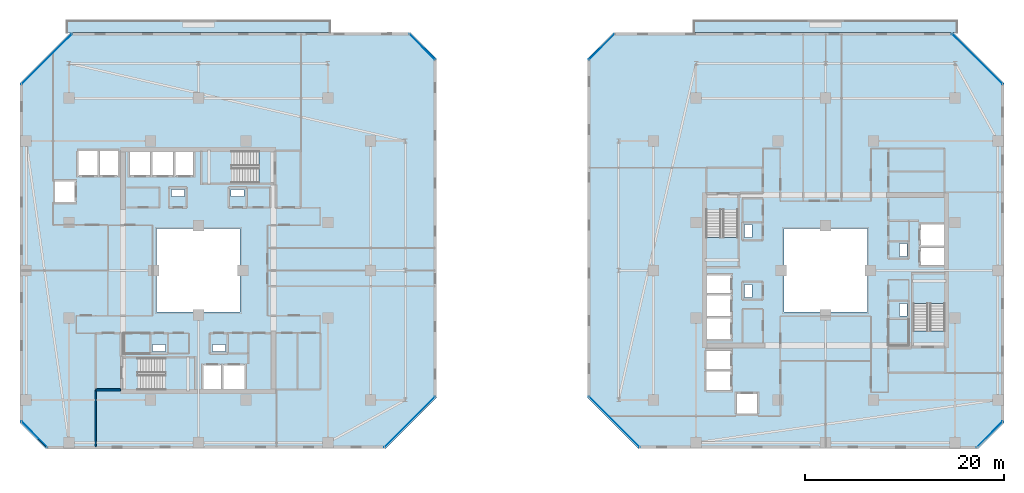
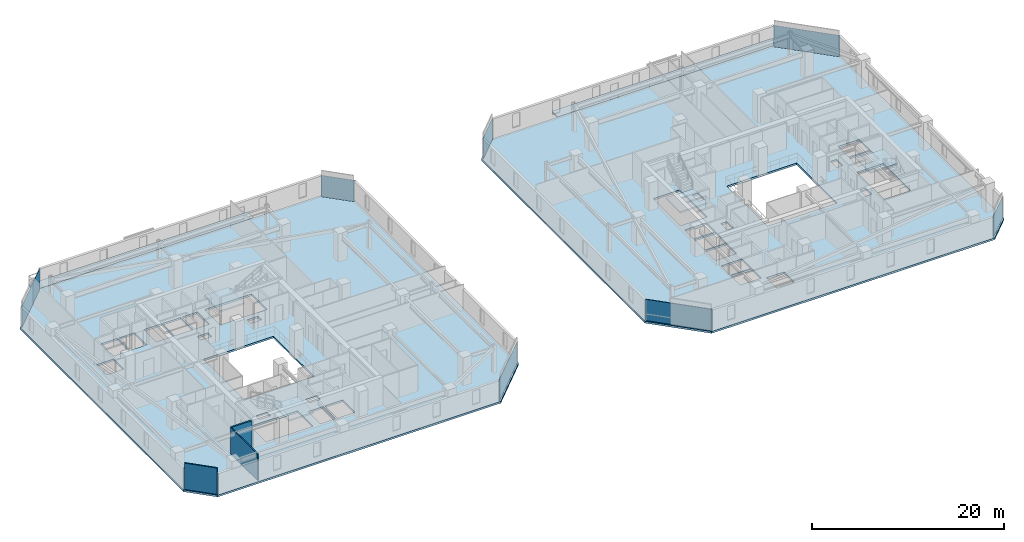
# One storey, part 18 of 33: 8 plates, 8 slabs, 3 walls, 12 elements without a shape of their own.
"""IFC4 building model written with IfcOpenShell, lengths in metres."""

from ifc_helpers import new_model, si_unit, direction, frame, frame_2d, origin, origin_2d, place, context, subcontext, project, spatial, polyline, rectangle, outline, extrude, material, layer, layer_set, type_object, element, aggregate, save


model = new_model("IFC4")

# Units and contexts
model_context = context("Model", 3, precision=1e-05, world=origin(), true_north=direction((0.0, 1.0)))
body_context = subcontext(model_context, "Body", "Model", "MODEL_VIEW")
ifc_project = project(units=[si_unit("LENGTHUNIT", "METRE"), si_unit("AREAUNIT", "SQUARE_METRE"), si_unit("VOLUMEUNIT", "CUBIC_METRE"), si_unit("PLANEANGLEUNIT", "RADIAN"), si_unit("MASSUNIT", "GRAM", prefix="KILO")], contexts=[model_context])

# Site, building, storey
site_placement = place(None, origin())
site = spatial("IfcSite", under=ifc_project, at=site_placement, CompositionType="ELEMENT")
building_placement = place(site_placement, origin())
building = spatial("IfcBuilding", under=site, at=building_placement, Name="Thornwick Lancets Civic Towers", CompositionType="ELEMENT")
storey_placement = place(building_placement, frame((0.0, 0.0, 189.300048828125)))
storey = spatial("IfcBuildingStorey", under=building, at=storey_placement, Name="L50", CompositionType="ELEMENT", Elevation=189.300048828125)

# Curtain wall, plate
ifc_material_1 = material(Name="Mid-zone chamfered-corner unitised glass curtain wall", Category="glass")
curtain_wall_type = type_object("IfcCurtainWallType", Name="CW_SYS_04", PredefinedType="NOTDEFINED", material=ifc_material_1)
curtain_wall_1_placement = place(storey_placement, origin())
curtain_wall_1 = element("IfcCurtainWall", 1, at=curtain_wall_1_placement, inside=storey, type_object=curtain_wall_type, Name="L50 Curtain Wall CW-L50-A-E1", PredefinedType="NOTDEFINED")
ifc_material_2 = material(Name="Low-e double glazing clear glass", Category="glass")
ifc_layer_1 = layer(ifc_material_2, 0.035888671875, Name="Low-e double glazing clear glass")
ifc_layer_set_1 = layer_set([ifc_layer_1], Name="Low-e double glazing clear glass")
plate_type = type_object("IfcPlateType", Name="CW_PNL_GLASS", PredefinedType="CURTAIN_PANEL", material=ifc_layer_set_1)
plate_1_placement = place(storey_placement, frame((46.727783203125, 11.772216796875, 0.0), z_axis=(0.0, 0.0, 1.0), x_axis=(0.707106781187, 0.707106781187, 0.0)))
plate_1 = element("IfcPlate", 2, at=plate_1_placement, type_object=plate_type, Name="CW-L50-A-E1 Panel 0", PredefinedType="CURTAIN_PANEL", context=body_context, shape_type="SweptSolid", body=[
    extrude(rectangle(XDim=7.147705078125, YDim=0.035888671875, at=origin_2d()), origin(), (0.0, 0.0, 1.0), 2.699951171875),
])
aggregate(curtain_wall_1, [plate_1])

curtain_wall_2_placement = place(storey_placement, origin())
curtain_wall_2 = element("IfcCurtainWall", 3, at=curtain_wall_2_placement, inside=storey, type_object=curtain_wall_type, Name="L50 Curtain Wall CW-L50-A-E3", PredefinedType="NOTDEFINED")
plate_2_placement = place(storey_placement, frame((47.972900390625, 49.472900390625, 0.0), z_axis=(0.0, 0.0, 1.0), x_axis=(-0.707106781187, 0.707106781187, 0.0)))
plate_2 = element("IfcPlate", 4, at=plate_2_placement, type_object=plate_type, Name="CW-L50-A-E3 Panel 0", PredefinedType="CURTAIN_PANEL", context=body_context, shape_type="SweptSolid", body=[
    extrude(rectangle(XDim=3.649169921875, YDim=0.035888671875, at=origin_2d()), origin(), (0.0, 0.0, 1.0), 2.699951171875),
])
aggregate(curtain_wall_2, [plate_2])

curtain_wall_3_placement = place(storey_placement, origin())
curtain_wall_3 = element("IfcCurtainWall", 5, at=curtain_wall_3_placement, inside=storey, type_object=curtain_wall_type, Name="L50 Curtain Wall CW-L50-A-E5", PredefinedType="NOTDEFINED")
plate_3_placement = place(storey_placement, frame((10.272216796875, 48.227783203125, 0.0), z_axis=(0.0, 0.0, 1.0), x_axis=(-0.707106781187, -0.707106781187, 0.0)))
plate_3 = element("IfcPlate", 6, at=plate_3_placement, type_object=plate_type, Name="CW-L50-A-E5 Panel 0", PredefinedType="CURTAIN_PANEL", context=body_context, shape_type="SweptSolid", body=[
    extrude(rectangle(XDim=7.147705078125, YDim=0.035888671875, at=origin_2d()), origin(), (0.0, 0.0, 1.0), 2.699951171875),
])
aggregate(curtain_wall_3, [plate_3])

curtain_wall_4_placement = place(storey_placement, origin())
curtain_wall_4 = element("IfcCurtainWall", 7, at=curtain_wall_4_placement, inside=storey, type_object=curtain_wall_type, Name="L50 Curtain Wall CW-L50-A-E7", PredefinedType="NOTDEFINED")
plate_4_placement = place(storey_placement, frame((9.027099609375, 10.527099609375, 0.0), z_axis=(0.0, 0.0, 1.0), x_axis=(0.707106781187, -0.707106781187, 0.0)))
plate_4 = element("IfcPlate", 8, at=plate_4_placement, type_object=plate_type, Name="CW-L50-A-E7 Panel 0", PredefinedType="CURTAIN_PANEL", context=body_context, shape_type="SweptSolid", body=[
    extrude(rectangle(XDim=3.649169921875, YDim=0.035888671875, at=origin_2d()), origin(), (0.0, 0.0, 1.0), 2.699951171875),
])
aggregate(curtain_wall_4, [plate_4])

curtain_wall_5_placement = place(storey_placement, origin())
curtain_wall_5 = element("IfcCurtainWall", 9, at=curtain_wall_5_placement, inside=storey, type_object=curtain_wall_type, Name="L50 Curtain Wall CW-L50-B-E1", PredefinedType="NOTDEFINED")
plate_5_placement = place(storey_placement, frame((104.972900390625, 10.527099609375, 0.0), z_axis=(0.0, 0.0, 1.0), x_axis=(0.707106781187, 0.707106781187, 0.0)))
plate_5 = element("IfcPlate", 10, at=plate_5_placement, type_object=plate_type, Name="CW-L50-B-E1 Panel 0", PredefinedType="CURTAIN_PANEL", context=body_context, shape_type="SweptSolid", body=[
    extrude(rectangle(XDim=3.649169921875, YDim=0.035888671875, at=origin_2d()), origin(), (0.0, 0.0, 1.0), 2.699951171875),
])
aggregate(curtain_wall_5, [plate_5])

curtain_wall_6_placement = place(storey_placement, origin())
curtain_wall_6 = element("IfcCurtainWall", 11, at=curtain_wall_6_placement, inside=storey, type_object=curtain_wall_type, Name="L50 Curtain Wall CW-L50-B-E3", PredefinedType="NOTDEFINED")
plate_6_placement = place(storey_placement, frame((103.727783203125, 48.227783203125, 0.0), z_axis=(0.0, 0.0, 1.0), x_axis=(-0.707106781187, 0.707106781187, 0.0)))
plate_6 = element("IfcPlate", 12, at=plate_6_placement, type_object=plate_type, Name="CW-L50-B-E3 Panel 0", PredefinedType="CURTAIN_PANEL", context=body_context, shape_type="SweptSolid", body=[
    extrude(rectangle(XDim=7.147705078125, YDim=0.035888671875, at=origin_2d()), origin(), (0.0, 0.0, 1.0), 2.699951171875),
])
aggregate(curtain_wall_6, [plate_6])

curtain_wall_7_placement = place(storey_placement, origin())
curtain_wall_7 = element("IfcCurtainWall", 13, at=curtain_wall_7_placement, inside=storey, type_object=curtain_wall_type, Name="L50 Curtain Wall CW-L50-B-E5", PredefinedType="NOTDEFINED")
plate_7_placement = place(storey_placement, frame((66.027099609375, 49.472900390625, 0.0), z_axis=(0.0, 0.0, 1.0), x_axis=(-0.707106781187, -0.707106781187, 0.0)))
plate_7 = element("IfcPlate", 14, at=plate_7_placement, type_object=plate_type, Name="CW-L50-B-E5 Panel 0", PredefinedType="CURTAIN_PANEL", context=body_context, shape_type="SweptSolid", body=[
    extrude(rectangle(XDim=3.649169921875, YDim=0.035888671875, at=origin_2d()), origin(), (0.0, 0.0, 1.0), 2.699951171875),
])
aggregate(curtain_wall_7, [plate_7])

curtain_wall_8_placement = place(storey_placement, origin())
curtain_wall_8 = element("IfcCurtainWall", 15, at=curtain_wall_8_placement, inside=storey, type_object=curtain_wall_type, Name="L50 Curtain Wall CW-L50-B-E7", PredefinedType="NOTDEFINED")
plate_8_placement = place(storey_placement, frame((67.272216796875, 11.772216796875, 0.0), z_axis=(0.0, 0.0, 1.0), x_axis=(0.707106781187, -0.707106781187, 0.0)))
plate_8 = element("IfcPlate", 16, at=plate_8_placement, type_object=plate_type, Name="CW-L50-B-E7 Panel 0", PredefinedType="CURTAIN_PANEL", context=body_context, shape_type="SweptSolid", body=[
    extrude(rectangle(XDim=7.147705078125, YDim=0.035888671875, at=origin_2d()), origin(), (0.0, 0.0, 1.0), 2.699951171875),
])
aggregate(curtain_wall_8, [plate_8])

# Slabs
ifc_material_3 = material(Name="Post-tensioned concrete C40/50", Category="concrete")
ifc_layer_2 = layer(ifc_material_3, 0.199951171875, Name="Post-tensioned concrete C40/50")
ifc_layer_set_2 = layer_set([ifc_layer_2], Name="Post-tensioned concrete C40/50")
slab_type_1 = type_object("IfcSlabType", Name="SLAB_BALCONY_200", PredefinedType="FLOOR", material=ifc_layer_set_2)
slab_1_placement = place(storey_placement, frame((0.0, 0.0, -0.199951171875)))
element("IfcSlab", 17, at=slab_1_placement, inside=storey, type_object=slab_type_1, Name="L50 Tower A Planted Balcony Slab N", PredefinedType="FLOOR", context=body_context, shape_type="SweptSolid", body=[
    extrude(outline(polyline([(12.300048828125, 50.89990234375), (38.699951171875, 50.89990234375), (38.699951171875, 52.14990234375), (12.300048828125, 52.14990234375), (12.300048828125, 50.89990234375)])), origin(), (0.0, 0.0, 1.0), 0.199951171875),
])
slab_2_placement = place(storey_placement, frame((0.0, 0.0, -0.199951171875)))
element("IfcSlab", 18, at=slab_2_placement, inside=storey, type_object=slab_type_1, Name="L50 Tower B Planted Balcony Slab N", PredefinedType="FLOOR", context=body_context, shape_type="SweptSolid", body=[
    extrude(outline(polyline([(75.300048828125, 50.89990234375), (101.699951171875, 50.89990234375), (101.699951171875, 52.14990234375), (75.300048828125, 52.14990234375), (75.300048828125, 50.89990234375)])), origin(), (0.0, 0.0, 1.0), 0.199951171875),
])

# Stair, slab
ifc_material_4 = material(Name="Concrete C40/50", Category="concrete")
stair_type = type_object("IfcStairType", Name="STAIR_DL_3600", PredefinedType="HALF_TURN_STAIR", material=ifc_material_4)
stair_1_placement = place(storey_placement, origin())
stair_1 = element("IfcStair", 19, at=stair_1_placement, inside=storey, type_object=stair_type, Name="L50 Tower A South Exit Stair ST-A1", PredefinedType="HALF_TURN_STAIR")
ifc_layer_3 = layer(ifc_material_4, 0.25, Name="Concrete C40/50")
ifc_layer_set_3 = layer_set([ifc_layer_3], Name="Concrete C40/50")
slab_type_2 = type_object("IfcSlabType", Name="SLAB_LANDING_200", PredefinedType="LANDING", material=ifc_layer_set_3)
slab_3_placement = place(storey_placement, frame((0.0, 0.0, 1.60302734375)))
slab_3 = element("IfcSlab", 20, at=slab_3_placement, type_object=slab_type_2, Name="ST-A1 landing 1", PredefinedType="LANDING", context=body_context, shape_type="SweptSolid", body=[
    extrude(outline(polyline([(22.169921875, 14.93994140625), (25.14990234375, 14.93994140625), (25.14990234375, 18.260009765625), (22.169921875, 18.260009765625), (22.169921875, 14.93994140625)])), origin(), (0.0, 0.0, 1.0), 0.199951171875),
])
aggregate(stair_1, [slab_3])

stair_2_placement = place(storey_placement, origin())
stair_2 = element("IfcStair", 21, at=stair_2_placement, inside=storey, type_object=stair_type, Name="L50 Tower A North Exit Stair ST-A2", PredefinedType="HALF_TURN_STAIR")
slab_4_placement = place(storey_placement, frame((0.0, 0.0, 1.60302734375)))
slab_4 = element("IfcSlab", 22, at=slab_4_placement, type_object=slab_type_2, Name="ST-A2 landing 1", PredefinedType="LANDING", context=body_context, shape_type="SweptSolid", body=[
    extrude(outline(polyline([(28.830078125, 39.06005859375), (25.85009765625, 39.06005859375), (25.85009765625, 35.739990234375), (28.830078125, 35.739990234375), (28.830078125, 39.06005859375)])), origin(), (0.0, 0.0, 1.0), 0.199951171875),
])
aggregate(stair_2, [slab_4])

stair_3_placement = place(storey_placement, origin())
stair_3 = element("IfcStair", 23, at=stair_3_placement, inside=storey, type_object=stair_type, Name="L50 Tower B East Exit Stair ST-B1", PredefinedType="HALF_TURN_STAIR")
slab_5_placement = place(storey_placement, frame((0.0, 0.0, 1.60302734375)))
slab_5 = element("IfcSlab", 24, at=slab_5_placement, type_object=slab_type_2, Name="ST-B1 landing 1", PredefinedType="LANDING", context=body_context, shape_type="SweptSolid", body=[
    extrude(outline(polyline([(100.56005859375, 23.669921875), (100.56005859375, 26.64990234375), (97.239990234375, 26.64990234375), (97.239990234375, 23.669921875), (100.56005859375, 23.669921875)])), origin(), (0.0, 0.0, 1.0), 0.199951171875),
])
aggregate(stair_3, [slab_5])

stair_4_placement = place(storey_placement, origin())
stair_4 = element("IfcStair", 25, at=stair_4_placement, inside=storey, type_object=stair_type, Name="L50 Tower B West Exit Stair ST-B2", PredefinedType="HALF_TURN_STAIR")
slab_6_placement = place(storey_placement, frame((0.0, 0.0, 1.60302734375)))
slab_6 = element("IfcSlab", 26, at=slab_6_placement, type_object=slab_type_2, Name="ST-B2 landing 1", PredefinedType="LANDING", context=body_context, shape_type="SweptSolid", body=[
    extrude(outline(polyline([(76.43994140625, 30.330078125), (76.43994140625, 27.35009765625), (79.760009765625, 27.35009765625), (79.760009765625, 30.330078125), (76.43994140625, 30.330078125)])), origin(), (0.0, 0.0, 1.0), 0.199951171875),
])
aggregate(stair_4, [slab_6])

# Slabs
ifc_layer_4 = layer(ifc_material_3, 0.239990234375, Name="Post-tensioned concrete C40/50")
ifc_layer_set_4 = layer_set([ifc_layer_4], Name="Post-tensioned concrete C40/50")
slab_type_3 = type_object("IfcSlabType", Name="SLAB_PT_240", PredefinedType="FLOOR", material=ifc_layer_set_4)
slab_7_placement = place(storey_placement, frame((0.0, 0.0, -0.239990234375)))
element("IfcSlab", 27, at=slab_7_placement, inside=storey, type_object=slab_type_3, Name="L50 Tower A Floor Slab", PredefinedType="FLOOR", context=body_context, shape_type="SweptSolid", body=[
    extrude(outline(polyline([(10.199951171875, 9.10009765625), (44.30810546875, 9.10009765625), (49.39990234375, 14.19189453125), (49.39990234375, 48.300048828125), (46.800048828125, 50.89990234375), (12.69189453125, 50.89990234375), (7.60009765625, 45.80810546875), (7.60009765625, 11.699951171875), (10.199951171875, 9.10009765625)]), holes=[polyline([(21.300048828125, 22.800048828125), (29.699951171875, 22.800048828125), (29.699951171875, 31.199951171875), (21.300048828125, 31.199951171875), (21.300048828125, 22.800048828125)]), polyline([(19.429931640625, 15.0), (25.10009765625, 15.0), (25.10009765625, 18.199951171875), (19.429931640625, 18.199951171875), (19.429931640625, 15.0)]), polyline([(31.570068359375, 39.0), (25.89990234375, 39.0), (25.89990234375, 35.800048828125), (31.570068359375, 35.800048828125), (31.570068359375, 39.0)]), polyline([(26.0, 15.0), (27.800048828125, 15.0), (27.800048828125, 17.550048828125), (26.0, 17.550048828125), (26.0, 15.0)]), polyline([(28.0, 15.0), (30.14990234375, 15.0), (30.14990234375, 17.550048828125), (28.0, 17.550048828125), (28.0, 15.0)]), polyline([(23.199951171875, 36.449951171875), (25.0, 36.449951171875), (25.0, 39.0), (23.199951171875, 39.0), (23.199951171875, 36.449951171875)]), polyline([(20.85009765625, 36.449951171875), (23.0, 36.449951171875), (23.0, 39.0), (20.85009765625, 39.0), (20.85009765625, 36.449951171875)]), polyline([(18.60009765625, 36.449951171875), (20.699951171875, 36.449951171875), (20.699951171875, 39.0), (18.60009765625, 39.0), (18.60009765625, 36.449951171875)]), polyline([(15.550048828125, 36.449951171875), (17.449951171875, 36.449951171875), (17.449951171875, 39.0), (15.550048828125, 39.0), (15.550048828125, 36.449951171875)]), polyline([(13.449951171875, 36.449951171875), (15.39990234375, 36.449951171875), (15.39990234375, 39.0), (13.449951171875, 39.0), (13.449951171875, 36.449951171875)]), polyline([(11.10009765625, 33.85009765625), (13.199951171875, 33.85009765625), (13.199951171875, 35.949951171875), (11.10009765625, 35.949951171875), (11.10009765625, 33.85009765625)]), polyline([(26.89990234375, 18.85009765625), (28.199951171875, 18.85009765625), (28.199951171875, 19.580078125), (26.89990234375, 19.580078125), (26.89990234375, 18.85009765625)]), polyline([(20.89990234375, 18.85009765625), (22.199951171875, 18.85009765625), (22.199951171875, 19.580078125), (20.89990234375, 19.580078125), (20.89990234375, 18.85009765625)]), polyline([(22.800048828125, 34.419921875), (24.10009765625, 34.419921875), (24.10009765625, 35.14990234375), (22.800048828125, 35.14990234375), (22.800048828125, 34.419921875)]), polyline([(28.800048828125, 34.419921875), (30.10009765625, 34.419921875), (30.10009765625, 35.14990234375), (28.800048828125, 35.14990234375), (28.800048828125, 34.419921875)])]), origin(), (0.0, 0.0, 1.0), 0.239990234375),
])
slab_8_placement = place(storey_placement, frame((0.0, 0.0, -0.239990234375)))
element("IfcSlab", 28, at=slab_8_placement, inside=storey, type_object=slab_type_3, Name="L50 Tower B Floor Slab", PredefinedType="FLOOR", context=body_context, shape_type="SweptSolid", body=[
    extrude(outline(polyline([(69.69189453125, 9.10009765625), (103.800048828125, 9.10009765625), (106.39990234375, 11.699951171875), (106.39990234375, 45.80810546875), (101.30810546875, 50.89990234375), (67.199951171875, 50.89990234375), (64.60009765625, 48.300048828125), (64.60009765625, 14.19189453125), (69.69189453125, 9.10009765625)]), holes=[polyline([(84.300048828125, 22.800048828125), (92.699951171875, 22.800048828125), (92.699951171875, 31.199951171875), (84.300048828125, 31.199951171875), (84.300048828125, 22.800048828125)]), polyline([(100.5, 20.929931640625), (100.5, 26.60009765625), (97.300048828125, 26.60009765625), (97.300048828125, 20.929931640625), (100.5, 20.929931640625)]), polyline([(76.5, 33.070068359375), (76.5, 27.39990234375), (79.699951171875, 27.39990234375), (79.699951171875, 33.070068359375), (76.5, 33.070068359375)]), polyline([(97.949951171875, 27.5), (100.5, 27.5), (100.5, 29.300048828125), (97.949951171875, 29.300048828125), (97.949951171875, 27.5)]), polyline([(97.949951171875, 29.5), (100.5, 29.5), (100.5, 31.64990234375), (97.949951171875, 31.64990234375), (97.949951171875, 29.5)]), polyline([(76.5, 24.699951171875), (79.050048828125, 24.699951171875), (79.050048828125, 26.5), (76.5, 26.5), (76.5, 24.699951171875)]), polyline([(76.5, 22.35009765625), (79.050048828125, 22.35009765625), (79.050048828125, 24.5), (76.5, 24.5), (76.5, 22.35009765625)]), polyline([(76.5, 20.10009765625), (79.050048828125, 20.10009765625), (79.050048828125, 22.199951171875), (76.5, 22.199951171875), (76.5, 20.10009765625)]), polyline([(76.5, 17.050048828125), (79.050048828125, 17.050048828125), (79.050048828125, 18.949951171875), (76.5, 18.949951171875), (76.5, 17.050048828125)]), polyline([(76.5, 14.949951171875), (79.050048828125, 14.949951171875), (79.050048828125, 16.89990234375), (76.5, 16.89990234375), (76.5, 14.949951171875)]), polyline([(79.550048828125, 12.60009765625), (81.64990234375, 12.60009765625), (81.64990234375, 14.699951171875), (79.550048828125, 14.699951171875), (79.550048828125, 12.60009765625)]), polyline([(95.919921875, 28.39990234375), (96.64990234375, 28.39990234375), (96.64990234375, 29.699951171875), (95.919921875, 29.699951171875), (95.919921875, 28.39990234375)]), polyline([(95.919921875, 22.39990234375), (96.64990234375, 22.39990234375), (96.64990234375, 23.699951171875), (95.919921875, 23.699951171875), (95.919921875, 22.39990234375)]), polyline([(80.35009765625, 24.300048828125), (81.080078125, 24.300048828125), (81.080078125, 25.60009765625), (80.35009765625, 25.60009765625), (80.35009765625, 24.300048828125)]), polyline([(80.35009765625, 30.300048828125), (81.080078125, 30.300048828125), (81.080078125, 31.60009765625), (80.35009765625, 31.60009765625), (80.35009765625, 30.300048828125)])]), origin(), (0.0, 0.0, 1.0), 0.239990234375),
])

# Walls
ifc_material_5 = material(Name="Concrete blockwork C40/50", Category="masonry")
ifc_layer_5 = layer(ifc_material_5, 0.199951171875, Name="Concrete blockwork C40/50")
ifc_layer_set_5 = layer_set([ifc_layer_5], Name="Concrete blockwork C40/50")
wall_type_1 = type_object("IfcWallType", Name="WALL_COMP_200", PredefinedType="STANDARD", material=ifc_layer_set_5)
wall_1_placement = place(storey_placement, frame((15.199951171875, 15.0, 0.0), z_axis=(0.0, 0.0, 1.0), x_axis=(1.0, 0.0, 0.0)))
element("IfcWall", 29, at=wall_1_placement, inside=storey, type_object=wall_type_1, Name="L50 Partition L50-A-FFLOB1 E1", PredefinedType="STANDARD", context=body_context, shape_type="SweptSolid", body=[
    extrude(rectangle(XDim=2.5, YDim=0.199951171875, at=frame_2d((1.25, 0.0))), origin(), (0.0, 0.0, 1.0), 3.33984375),
])
ifc_material_6 = material(Name="Acoustic gypsum board partition")
ifc_layer_6 = layer(ifc_material_6, 0.1201171875, Name="Acoustic gypsum board partition")
ifc_layer_set_6 = layer_set([ifc_layer_6], Name="Acoustic gypsum board partition")
wall_type_2 = type_object("IfcWallType", Name="WALL_PART_120", PredefinedType="PARTITIONING", material=ifc_layer_set_6)
wall_2_placement = place(storey_placement, frame((15.199951171875, 15.0, 0.0), z_axis=(0.0, 0.0, 1.0), x_axis=(0.0, -1.0, 0.0)))
element("IfcWall", 30, at=wall_2_placement, inside=storey, type_object=wall_type_2, Name="L50 Partition L50-A-W1 E9", PredefinedType="PARTITIONING", context=body_context, shape_type="SweptSolid", body=[
    extrude(rectangle(XDim=5.719970703125, YDim=0.1201171875, at=frame_2d((2.85986328125, 0.0))), origin(), (0.0, 0.0, 1.0), 3.33984375),
])
wall_3_placement = place(storey_placement, frame((10.274658203125, 9.280029296875, 0.0), z_axis=(0.0, 0.0, 1.0), x_axis=(-0.707106781187, 0.707106781187, 0.0)))
element("IfcWall", 31, at=wall_3_placement, inside=storey, type_object=wall_type_2, Name="L50 Partition L50-A-W1 E11", PredefinedType="PARTITIONING", context=body_context, shape_type="SweptSolid", body=[
    extrude(rectangle(XDim=3.52783203125, YDim=0.1201171875, at=frame_2d((1.763916015625, 0.0))), origin(), (0.0, 0.0, 1.0), 3.33984375),
])

save(model, "model.ifc")
